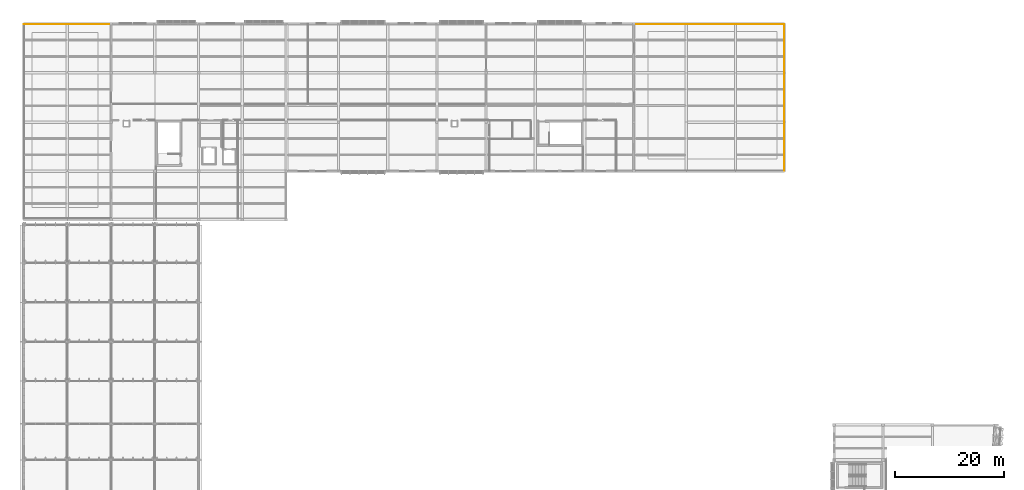
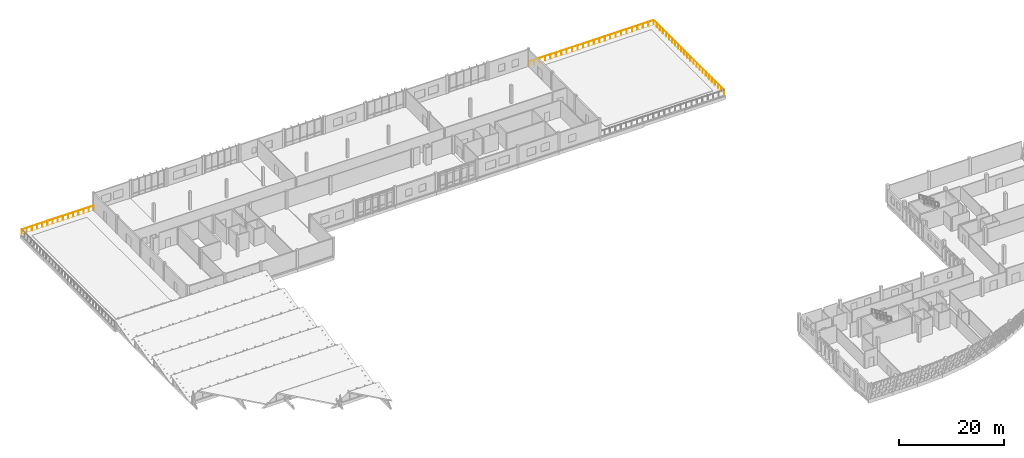
# One storey, part 94 of 94: 3 railings.
"""IFC4 building model written with IfcOpenShell, lengths in metres."""

from ifc_helpers import new_model, si_unit, direction, frame, origin, origin_2d, place, context, subcontext, project, spatial, circle, extrude, material, layer, layer_set, type_object, element, save


model = new_model("IFC4")

# Units and contexts
model_context = context("Model", 3, precision=1e-05, world=origin(), true_north=direction((0.0, 1.0)))
body_context = subcontext(model_context, "Body", "Model", "MODEL_VIEW")
ifc_project = project(units=[si_unit("LENGTHUNIT", "METRE"), si_unit("AREAUNIT", "SQUARE_METRE"), si_unit("VOLUMEUNIT", "CUBIC_METRE"), si_unit("PLANEANGLEUNIT", "RADIAN"), si_unit("MASSUNIT", "GRAM", prefix="KILO")], contexts=[model_context])

# Site, building, storey
site_placement = place(None, origin())
site = spatial("IfcSite", under=ifc_project, at=site_placement, CompositionType="ELEMENT")
building_placement = place(site_placement, origin())
building = spatial("IfcBuilding", under=site, at=building_placement, Name="Chiffa Square Polytechnic", CompositionType="ELEMENT")
storey_placement = place(building_placement, frame((0.0, 0.0, 18.0)))
storey = spatial("IfcBuildingStorey", under=building, at=storey_placement, Name="L04", CompositionType="ELEMENT", Elevation=18.0)

# Railings
ifc_material = material(Name="Steel S355", Category="steel")
ifc_layer = layer(ifc_material, 0.06005859375, Name="Steel S355")
ifc_layer_set = layer_set([ifc_layer], Name="Steel S355")
railing_type = type_object("IfcRailingType", Name="RL-TERR-1100", PredefinedType="BALUSTRADE", material=ifc_layer_set)
railing_1_placement = place(storey_placement, frame((139.10009765625, 103.89990234375, 0.0)))
element("IfcRailing", 1, at=railing_1_placement, inside=storey, type_object=railing_type, Name="Terrace safety guard GR-TERR-V5-L04E-2", PredefinedType="BALUSTRADE", context=body_context, shape_type="SweptSolid", body=[
    extrude(circle(Radius=0.02392578125, at=origin_2d()), frame((0.0, 0.0, 1.076171875), z_axis=(0.0, 1.0, 0.0), x_axis=(-1.0, 0.0, 0.0)), (0.0, 0.0, 1.0), 26.800048828125),
    extrude(circle(Radius=0.02099609375, at=origin_2d()), origin(), (0.0, 0.0, 1.0), 1.052001953125),
    extrude(circle(Radius=0.02099609375, at=origin_2d()), frame((0.0, 1.165283203125, 0.0)), (0.0, 0.0, 1.0), 1.052001953125),
    extrude(circle(Radius=0.02099609375, at=origin_2d()), frame((0.0, 2.330322265625, 0.0)), (0.0, 0.0, 1.0), 1.052001953125),
    extrude(circle(Radius=0.02099609375, at=origin_2d()), frame((0.0, 3.49560546875, 0.0)), (0.0, 0.0, 1.0), 1.052001953125),
    extrude(circle(Radius=0.02099609375, at=origin_2d()), frame((0.0, 4.660888671875, 0.0)), (0.0, 0.0, 1.0), 1.052001953125),
    extrude(circle(Radius=0.02099609375, at=origin_2d()), frame((0.0, 5.826171875, 0.0)), (0.0, 0.0, 1.0), 1.052001953125),
    extrude(circle(Radius=0.02099609375, at=origin_2d()), frame((0.0, 6.9912109375, 0.0)), (0.0, 0.0, 1.0), 1.052001953125),
    extrude(circle(Radius=0.02099609375, at=origin_2d()), frame((0.0, 8.156494140625, 0.0)), (0.0, 0.0, 1.0), 1.052001953125),
    extrude(circle(Radius=0.02099609375, at=origin_2d()), frame((0.0, 9.32177734375, 0.0)), (0.0, 0.0, 1.0), 1.052001953125),
    extrude(circle(Radius=0.02099609375, at=origin_2d()), frame((0.0, 10.487060546875, 0.0)), (0.0, 0.0, 1.0), 1.052001953125),
    extrude(circle(Radius=0.02099609375, at=origin_2d()), frame((0.0, 11.652099609375, 0.0)), (0.0, 0.0, 1.0), 1.052001953125),
    extrude(circle(Radius=0.02099609375, at=origin_2d()), frame((0.0, 12.8173828125, 0.0)), (0.0, 0.0, 1.0), 1.052001953125),
    extrude(circle(Radius=0.02099609375, at=origin_2d()), frame((0.0, 13.982666015625, 0.0)), (0.0, 0.0, 1.0), 1.052001953125),
    extrude(circle(Radius=0.02099609375, at=origin_2d()), frame((0.0, 15.14794921875, 0.0)), (0.0, 0.0, 1.0), 1.052001953125),
    extrude(circle(Radius=0.02099609375, at=origin_2d()), frame((0.0, 16.31298828125, 0.0)), (0.0, 0.0, 1.0), 1.052001953125),
    extrude(circle(Radius=0.02099609375, at=origin_2d()), frame((0.0, 17.478271484375, 0.0)), (0.0, 0.0, 1.0), 1.052001953125),
    extrude(circle(Radius=0.02099609375, at=origin_2d()), frame((0.0, 18.6435546875, 0.0)), (0.0, 0.0, 1.0), 1.052001953125),
    extrude(circle(Radius=0.02099609375, at=origin_2d()), frame((0.0, 19.808837890625, 0.0)), (0.0, 0.0, 1.0), 1.052001953125),
    extrude(circle(Radius=0.02099609375, at=origin_2d()), frame((0.0, 20.973876953125, 0.0)), (0.0, 0.0, 1.0), 1.052001953125),
    extrude(circle(Radius=0.02099609375, at=origin_2d()), frame((0.0, 22.13916015625, 0.0)), (0.0, 0.0, 1.0), 1.052001953125),
    extrude(circle(Radius=0.02099609375, at=origin_2d()), frame((0.0, 23.304443359375, 0.0)), (0.0, 0.0, 1.0), 1.052001953125),
    extrude(circle(Radius=0.02099609375, at=origin_2d()), frame((0.0, 24.4697265625, 0.0)), (0.0, 0.0, 1.0), 1.052001953125),
    extrude(circle(Radius=0.02099609375, at=origin_2d()), frame((0.0, 25.634765625, 0.0)), (0.0, 0.0, 1.0), 1.052001953125),
    extrude(circle(Radius=0.02099609375, at=origin_2d()), frame((0.0, 26.800048828125, 0.0)), (0.0, 0.0, 1.0), 1.052001953125),
])
railing_2_placement = place(storey_placement, frame((139.10009765625, 130.699951171875, 0.0)))
element("IfcRailing", 2, at=railing_2_placement, inside=storey, type_object=railing_type, Name="Terrace safety guard GR-TERR-V5-L04E-3", PredefinedType="BALUSTRADE", context=body_context, shape_type="SweptSolid", body=[
    extrude(circle(Radius=0.02392578125, at=origin_2d()), frame((0.0, 0.0, 1.076171875), z_axis=(-1.0, 0.0, 0.0), x_axis=(0.0, -1.0, 0.0)), (0.0, 0.0, 1.0), 27.5),
    extrude(circle(Radius=0.02099609375, at=origin_2d()), origin(), (0.0, 0.0, 1.0), 1.052001953125),
    extrude(circle(Radius=0.02099609375, at=origin_2d()), frame((-1.195556640625, 0.0, 0.0)), (0.0, 0.0, 1.0), 1.052001953125),
    extrude(circle(Radius=0.02099609375, at=origin_2d()), frame((-2.391357421875, 0.0, 0.0)), (0.0, 0.0, 1.0), 1.052001953125),
    extrude(circle(Radius=0.02099609375, at=origin_2d()), frame((-3.5869140625, 0.0, 0.0)), (0.0, 0.0, 1.0), 1.052001953125),
    extrude(circle(Radius=0.02099609375, at=origin_2d()), frame((-4.78271484375, 0.0, 0.0)), (0.0, 0.0, 1.0), 1.052001953125),
    extrude(circle(Radius=0.02099609375, at=origin_2d()), frame((-5.978271484375, 0.0, 0.0)), (0.0, 0.0, 1.0), 1.052001953125),
    extrude(circle(Radius=0.02099609375, at=origin_2d()), frame((-7.173828125, 0.0, 0.0)), (0.0, 0.0, 1.0), 1.052001953125),
    extrude(circle(Radius=0.02099609375, at=origin_2d()), frame((-8.36962890625, 0.0, 0.0)), (0.0, 0.0, 1.0), 1.052001953125),
    extrude(circle(Radius=0.02099609375, at=origin_2d()), frame((-9.565185546875, 0.0, 0.0)), (0.0, 0.0, 1.0), 1.052001953125),
    extrude(circle(Radius=0.02099609375, at=origin_2d()), frame((-10.760986328125, 0.0, 0.0)), (0.0, 0.0, 1.0), 1.052001953125),
    extrude(circle(Radius=0.02099609375, at=origin_2d()), frame((-11.95654296875, 0.0, 0.0)), (0.0, 0.0, 1.0), 1.052001953125),
    extrude(circle(Radius=0.02099609375, at=origin_2d()), frame((-13.152099609375, 0.0, 0.0)), (0.0, 0.0, 1.0), 1.052001953125),
    extrude(circle(Radius=0.02099609375, at=origin_2d()), frame((-14.347900390625, 0.0, 0.0)), (0.0, 0.0, 1.0), 1.052001953125),
    extrude(circle(Radius=0.02099609375, at=origin_2d()), frame((-15.54345703125, 0.0, 0.0)), (0.0, 0.0, 1.0), 1.052001953125),
    extrude(circle(Radius=0.02099609375, at=origin_2d()), frame((-16.739013671875, 0.0, 0.0)), (0.0, 0.0, 1.0), 1.052001953125),
    extrude(circle(Radius=0.02099609375, at=origin_2d()), frame((-17.934814453125, 0.0, 0.0)), (0.0, 0.0, 1.0), 1.052001953125),
    extrude(circle(Radius=0.02099609375, at=origin_2d()), frame((-19.13037109375, 0.0, 0.0)), (0.0, 0.0, 1.0), 1.052001953125),
    extrude(circle(Radius=0.02099609375, at=origin_2d()), frame((-20.326171875, 0.0, 0.0)), (0.0, 0.0, 1.0), 1.052001953125),
    extrude(circle(Radius=0.02099609375, at=origin_2d()), frame((-21.521728515625, 0.0, 0.0)), (0.0, 0.0, 1.0), 1.052001953125),
    extrude(circle(Radius=0.02099609375, at=origin_2d()), frame((-22.71728515625, 0.0, 0.0)), (0.0, 0.0, 1.0), 1.052001953125),
    extrude(circle(Radius=0.02099609375, at=origin_2d()), frame((-23.9130859375, 0.0, 0.0)), (0.0, 0.0, 1.0), 1.052001953125),
    extrude(circle(Radius=0.02099609375, at=origin_2d()), frame((-25.108642578125, 0.0, 0.0)), (0.0, 0.0, 1.0), 1.052001953125),
    extrude(circle(Radius=0.02099609375, at=origin_2d()), frame((-26.304443359375, 0.0, 0.0)), (0.0, 0.0, 1.0), 1.052001953125),
    extrude(circle(Radius=0.02099609375, at=origin_2d()), frame((-27.5, 0.0, 0.0)), (0.0, 0.0, 1.0), 1.052001953125),
])
railing_3_placement = place(storey_placement, frame((0.10009765625, 130.699951171875, 0.0)))
element("IfcRailing", 3, at=railing_3_placement, inside=storey, type_object=railing_type, Name="Terrace safety guard GR-TERR-V5-L04W-3", PredefinedType="BALUSTRADE", context=body_context, shape_type="SweptSolid", body=[
    extrude(circle(Radius=0.02392578125, at=origin_2d()), frame((0.0, 0.0, 1.076171875), z_axis=(1.0, 0.0, 0.0), x_axis=(0.0, 1.0, 0.0)), (0.0, 0.0, 1.0), 15.89990234375),
    extrude(circle(Radius=0.02099609375, at=origin_2d()), origin(), (0.0, 0.0, 1.0), 1.052001953125),
    extrude(circle(Radius=0.02099609375, at=origin_2d()), frame((1.1357421875, 0.0, 0.0)), (0.0, 0.0, 1.0), 1.052001953125),
    extrude(circle(Radius=0.02099609375, at=origin_2d()), frame((2.271484375, 0.0, 0.0)), (0.0, 0.0, 1.0), 1.052001953125),
    extrude(circle(Radius=0.02099609375, at=origin_2d()), frame((3.4072265625, 0.0, 0.0)), (0.0, 0.0, 1.0), 1.052001953125),
    extrude(circle(Radius=0.02099609375, at=origin_2d()), frame((4.542724609375, 0.0, 0.0)), (0.0, 0.0, 1.0), 1.052001953125),
    extrude(circle(Radius=0.02099609375, at=origin_2d()), frame((5.678466796875, 0.0, 0.0)), (0.0, 0.0, 1.0), 1.052001953125),
    extrude(circle(Radius=0.02099609375, at=origin_2d()), frame((6.814208984375, 0.0, 0.0)), (0.0, 0.0, 1.0), 1.052001953125),
    extrude(circle(Radius=0.02099609375, at=origin_2d()), frame((7.949951171875, 0.0, 0.0)), (0.0, 0.0, 1.0), 1.052001953125),
    extrude(circle(Radius=0.02099609375, at=origin_2d()), frame((9.085693359375, 0.0, 0.0)), (0.0, 0.0, 1.0), 1.052001953125),
    extrude(circle(Radius=0.02099609375, at=origin_2d()), frame((10.221435546875, 0.0, 0.0)), (0.0, 0.0, 1.0), 1.052001953125),
    extrude(circle(Radius=0.02099609375, at=origin_2d()), frame((11.357177734375, 0.0, 0.0)), (0.0, 0.0, 1.0), 1.052001953125),
    extrude(circle(Radius=0.02099609375, at=origin_2d()), frame((12.49267578125, 0.0, 0.0)), (0.0, 0.0, 1.0), 1.052001953125),
    extrude(circle(Radius=0.02099609375, at=origin_2d()), frame((13.62841796875, 0.0, 0.0)), (0.0, 0.0, 1.0), 1.052001953125),
    extrude(circle(Radius=0.02099609375, at=origin_2d()), frame((14.76416015625, 0.0, 0.0)), (0.0, 0.0, 1.0), 1.052001953125),
    extrude(circle(Radius=0.02099609375, at=origin_2d()), frame((15.89990234375, 0.0, 0.0)), (0.0, 0.0, 1.0), 1.052001953125),
])

save(model, "model.ifc")
